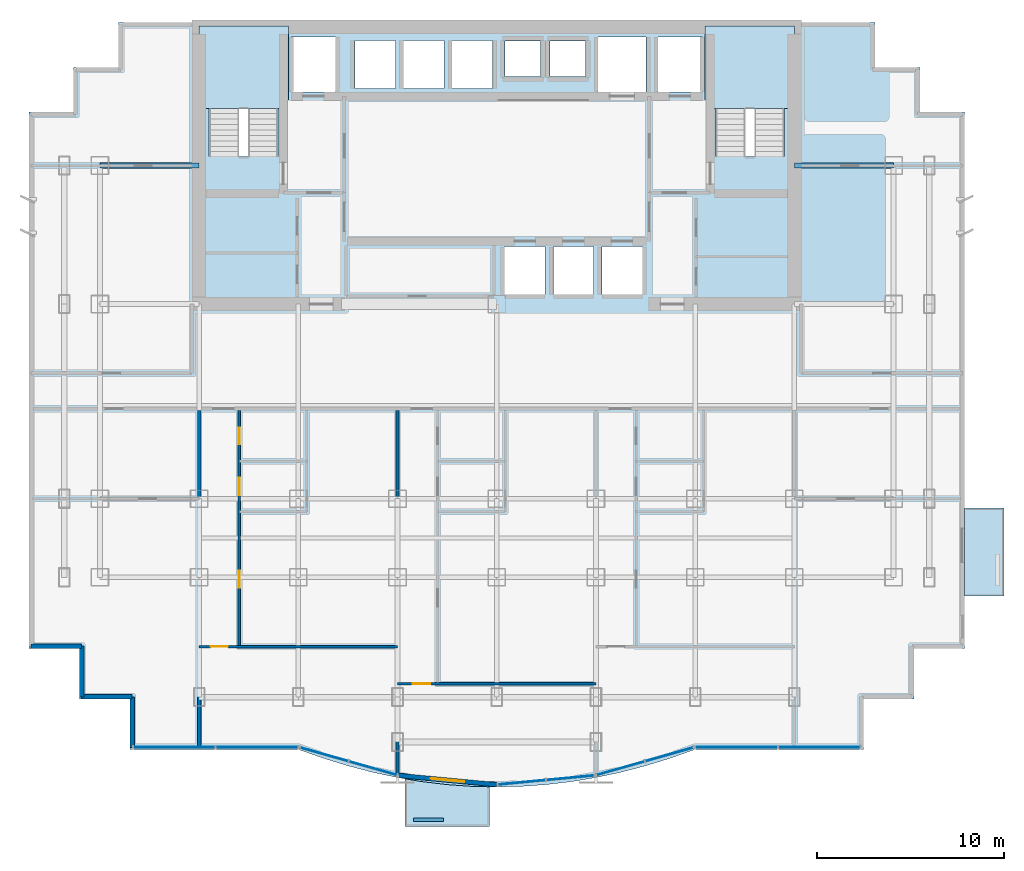
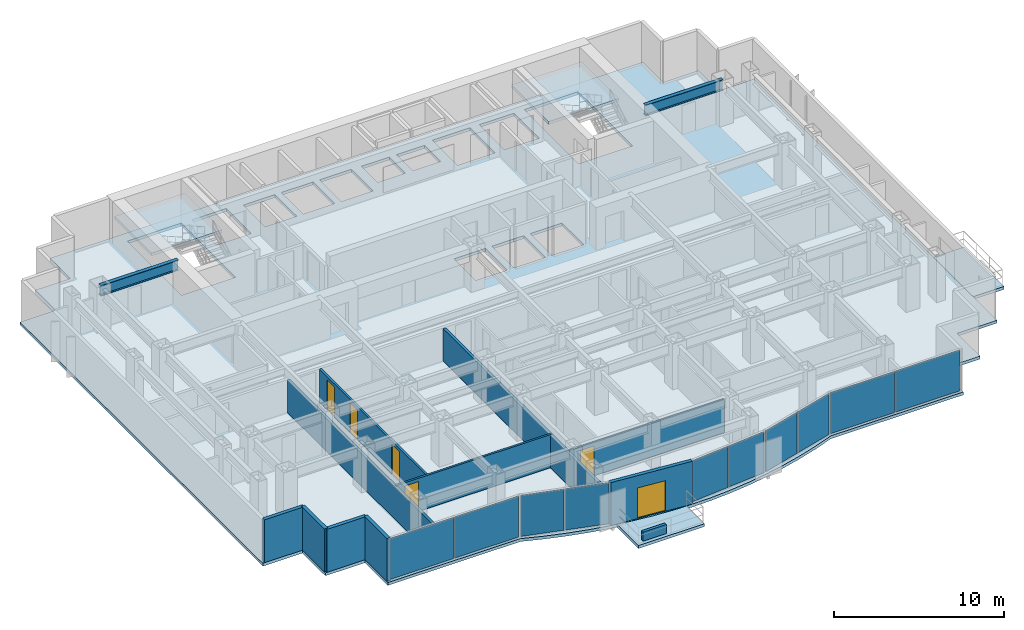
# One storey, part 4 of 9: 11 walls, 10 plates, 6 doors, 5 slabs, 2 beams, 6 openings, 7 elements without a shape of their own.
"""IFC4 building model written with IfcOpenShell, lengths in metres."""

from ifc_helpers import new_model, si_unit, direction, frame, frame_2d, origin, origin_2d, place, context, subcontext, project, spatial, polyline, rectangle, i_section, outline, extrude, source, transform, mapped, material, layer, layer_set, material_profile, profile_set, type_object, element, fill, aggregate, save


model = new_model("IFC4")

# Units and contexts
model_context = context("Model", 3, precision=1e-05, world=origin(), true_north=direction((0.0, 1.0)))
body_context = subcontext(model_context, "Body", "Model", "MODEL_VIEW")
ifc_project = project(units=[si_unit("LENGTHUNIT", "METRE"), si_unit("AREAUNIT", "SQUARE_METRE"), si_unit("VOLUMEUNIT", "CUBIC_METRE"), si_unit("PLANEANGLEUNIT", "RADIAN"), si_unit("MASSUNIT", "GRAM", prefix="KILO")], contexts=[model_context])

# Site, building, storey
site_placement = place(None, origin())
site = spatial("IfcSite", under=ifc_project, at=site_placement, CompositionType="ELEMENT")
building_placement = place(site_placement, origin())
building = spatial("IfcBuilding", under=site, at=building_placement, Name="Qianlan Lanfeng Residences", CompositionType="ELEMENT")
storey_placement = place(building_placement, frame((0.0, 0.0, 111.39990234375)))
storey = spatial("IfcBuildingStorey", under=building, at=storey_placement, Name="L30", CompositionType="ELEMENT", Elevation=111.39990234375)

# Beams
ifc_material_1 = material(Name="Steel SN490B", Category="steel")
ifc_material_profile = material_profile(ifc_material_1, i_section(OverallWidth=0.25, OverallDepth=0.75, WebThickness=0.013916015625, FlangeThickness=0.02490234375, at=origin_2d()), Name="H 750x250x14x25")
ifc_profile_set = profile_set([ifc_material_profile], Name="Steel SN490B")
beam_type = type_object("IfcBeamType", Name="G-850", PredefinedType="BEAM", material=ifc_profile_set)
for number, where, z_axis, x_axis, name in (
    (1, (5.300048828125, 32.60009765625, 2.715087890625), (1.0, 0.0, 0.0), (0.0, 1.0, 0.0), "Structural beam G-850"),
    (2, (42.39990234375, 32.60009765625, 2.715087890625), (1.0, 0.0, 0.0), (0.0, 1.0, 0.0), "Structural beam G-850"),
):
    element("IfcBeam", number, at=place(storey_placement, frame(where, z_axis=z_axis, x_axis=x_axis)), inside=storey, type_object=beam_type, Name=name, PredefinedType="BEAM", context=body_context, shape_type="SweptSolid", body=[
        extrude(i_section(OverallWidth=0.25, OverallDepth=0.75, WebThickness=0.013916015625, FlangeThickness=0.02490234375, at=origin_2d()), origin(), (0.0, 0.0, 1.0), 5.300048828125),
    ])

# Slabs
ifc_material_2 = material(Name="Concrete C42", Category="concrete")
ifc_layer_1 = layer(ifc_material_2, 0.2099609375)
ifc_layer_set_1 = layer_set([ifc_layer_1], Name="Concrete C42")
slab_type_1 = type_object("IfcSlabType", Name="S-BAL-210", PredefinedType="FLOOR", material=ifc_layer_set_1)
slab_1_placement = place(storey_placement, frame((0.0, 0.0, -0.2099609375)))
element("IfcSlab", 3, at=slab_1_placement, inside=storey, type_object=slab_type_1, Name="L30 Planted Tree Balcony Slab SB-C", PredefinedType="FLOOR", context=body_context, shape_type="SweptSolid", body=[
    extrude(outline(polyline([(26.10009765625, -0.591064453125), (25.177001953125, -0.569091796875), (23.85498046875, -0.47509765625), (22.531982421875, -0.319091796875), (21.60009765625, -0.1650390625), (21.60009765625, -2.699951171875), (26.10009765625, -2.699951171875), (26.10009765625, -0.591064453125)])), origin(), (0.0, 0.0, 1.0), 0.2099609375),
])
slab_2_placement = place(storey_placement, frame((0.0, 0.0, -0.2099609375)))
element("IfcSlab", 4, at=slab_2_placement, inside=storey, type_object=slab_type_1, Name="L30 Planted Tree Balcony Slab EB-S", PredefinedType="FLOOR", context=body_context, shape_type="SweptSolid", body=[
    extrude(outline(polyline([(51.5, 14.300048828125), (51.5, 9.60009765625), (53.60009765625, 9.60009765625), (53.60009765625, 14.300048828125), (51.5, 14.300048828125)])), origin(), (0.0, 0.0, 1.0), 0.2099609375),
])
ifc_layer_2 = layer(ifc_material_2, 0.2099609375)
ifc_layer_set_2 = layer_set([ifc_layer_2], Name="Concrete C42")
slab_type_2 = type_object("IfcSlabType", Name="S-FL-210", PredefinedType="FLOOR", material=ifc_layer_set_2)
slab_3_placement = place(storey_placement, frame((0.0, 0.0, -0.2099609375)))
element("IfcSlab", 5, at=slab_3_placement, inside=storey, type_object=slab_type_2, Name="L30 Structural Floor Slab", PredefinedType="FLOOR", context=body_context, shape_type="SweptSolid", body=[
    extrude(outline(polyline([(1.5, 6.800048828125), (4.199951171875, 6.800048828125), (4.199951171875, 4.10009765625), (6.89990234375, 4.10009765625), (6.89990234375, 1.39990234375), (15.919921875, 1.39990234375), (17.241943359375, 0.930908203125), (18.56494140625, 0.52490234375), (19.886962890625, 0.180908203125), (21.2099609375, -0.10009765625), (22.531982421875, -0.319091796875), (23.85498046875, -0.47509765625), (25.177001953125, -0.569091796875), (26.5, -0.60009765625), (27.822021484375, -0.569091796875), (29.14501953125, -0.47509765625), (30.467041015625, -0.319091796875), (31.7900390625, -0.10009765625), (33.112060546875, 0.180908203125), (34.43505859375, 0.52490234375), (35.758056640625, 0.930908203125), (37.080078125, 1.39990234375), (46.10009765625, 1.39990234375), (46.10009765625, 4.10009765625), (48.800048828125, 4.10009765625), (48.800048828125, 6.800048828125), (51.5, 6.800048828125), (51.5, 35.449951171875), (49.10009765625, 35.449951171875), (49.10009765625, 37.85009765625), (46.699951171875, 37.85009765625), (46.699951171875, 40.25), (6.300048828125, 40.25), (6.300048828125, 37.85009765625), (3.89990234375, 37.85009765625), (3.89990234375, 35.449951171875), (1.5, 35.449951171875), (1.5, 6.800048828125)]), holes=[polyline([(11.139892578125, 33.080078125), (11.139892578125, 39.5), (14.820068359375, 39.5), (14.820068359375, 33.080078125), (11.139892578125, 33.080078125)]), polyline([(38.179931640625, 33.080078125), (38.179931640625, 39.5), (41.860107421875, 39.5), (41.860107421875, 33.080078125), (38.179931640625, 33.080078125)]), polyline([(15.52001953125, 36.52001953125), (15.52001953125, 39.47998046875), (17.8798828125, 39.47998046875), (17.8798828125, 36.52001953125), (15.52001953125, 36.52001953125)]), polyline([(35.1201171875, 36.52001953125), (35.1201171875, 39.47998046875), (37.47998046875, 39.47998046875), (37.47998046875, 36.52001953125), (35.1201171875, 36.52001953125)]), polyline([(31.919921875, 36.52001953125), (31.919921875, 39.47998046875), (34.47998046875, 39.47998046875), (34.47998046875, 36.52001953125), (31.919921875, 36.52001953125)]), polyline([(26.919921875, 25.719970703125), (26.919921875, 28.280029296875), (29.080078125, 28.280029296875), (29.080078125, 25.719970703125), (26.919921875, 25.719970703125)]), polyline([(29.52001953125, 25.719970703125), (29.52001953125, 28.280029296875), (31.679931640625, 28.280029296875), (31.679931640625, 25.719970703125), (29.52001953125, 25.719970703125)]), polyline([(32.1201171875, 25.719970703125), (32.1201171875, 28.280029296875), (34.280029296875, 28.280029296875), (34.280029296875, 25.719970703125), (32.1201171875, 25.719970703125)]), polyline([(18.919921875, 36.719970703125), (18.919921875, 39.280029296875), (21.080078125, 39.280029296875), (21.080078125, 36.719970703125), (18.919921875, 36.719970703125)]), polyline([(21.52001953125, 36.719970703125), (21.52001953125, 39.280029296875), (23.679931640625, 39.280029296875), (23.679931640625, 36.719970703125), (21.52001953125, 36.719970703125)]), polyline([(24.1201171875, 36.719970703125), (24.1201171875, 39.280029296875), (26.280029296875, 39.280029296875), (26.280029296875, 36.719970703125), (24.1201171875, 36.719970703125)]), polyline([(26.949951171875, 37.35009765625), (26.949951171875, 39.25), (28.85009765625, 39.25), (28.85009765625, 37.35009765625), (26.949951171875, 37.35009765625)]), polyline([(29.35009765625, 37.35009765625), (29.35009765625, 39.25), (31.25, 39.25), (31.25, 37.35009765625), (29.35009765625, 37.35009765625)])]), origin(), (0.0, 0.0, 1.0), 0.2099609375),
])

# Stair, slab
stair_type = type_object("IfcStairType", Name="STR-MAIN", PredefinedType="HALF_TURN_STAIR", material=ifc_material_2)
stair_1_placement = place(storey_placement, origin())
stair_1 = element("IfcStair", 6, at=stair_1_placement, inside=storey, type_object=stair_type, Name="L30 Exit Stair ST-1", PredefinedType="HALF_TURN_STAIR")
ifc_layer_3 = layer(ifc_material_2, 0.179931640625)
ifc_layer_set_3 = layer_set([ifc_layer_3], Name="Concrete C42")
slab_type_3 = type_object("IfcSlabType", Name="S-LND-180", PredefinedType="LANDING", material=ifc_layer_set_3)
slab_4_placement = place(storey_placement, frame((0.0, 0.0, 1.4501953125)))
slab_4 = element("IfcSlab", 7, at=slab_4_placement, type_object=slab_type_3, Name="ST-1 landing 1", PredefinedType="LANDING", context=body_context, shape_type="SweptSolid", body=[
    extrude(outline(polyline([(10.580078125, 35.659912109375), (15.3798828125, 35.659912109375), (15.3798828125, 40.050048828125), (10.580078125, 40.050048828125), (10.580078125, 35.659912109375)])), origin(), (0.0, 0.0, 1.0), 0.199951171875),
])
aggregate(stair_1, [slab_4])

stair_2_placement = place(storey_placement, origin())
stair_2 = element("IfcStair", 8, at=stair_2_placement, inside=storey, type_object=stair_type, Name="L30 Exit Stair ST-2", PredefinedType="HALF_TURN_STAIR")
slab_5_placement = place(storey_placement, frame((0.0, 0.0, 1.4501953125)))
slab_5 = element("IfcSlab", 9, at=slab_5_placement, type_object=slab_type_3, Name="ST-2 landing 1", PredefinedType="LANDING", context=body_context, shape_type="SweptSolid", body=[
    extrude(outline(polyline([(37.6201171875, 35.659912109375), (42.419921875, 35.659912109375), (42.419921875, 40.050048828125), (37.6201171875, 40.050048828125), (37.6201171875, 35.659912109375)])), origin(), (0.0, 0.0, 1.0), 0.199951171875),
])
aggregate(stair_2, [slab_5])

# Curtain wall, plates
ifc_material_3 = material(Name="Anodised Bronze Aluminium 6063-T6", Category="aluminium")
ifc_layer_4 = layer(ifc_material_3, 0.219970703125)
ifc_layer_set_4 = layer_set([ifc_layer_4], Name="Anodised Bronze Aluminium 6063-T6")
curtain_wall_type = type_object("IfcCurtainWallType", Name="CW-03", PredefinedType="NOTDEFINED", material=ifc_layer_set_4)
curtain_wall_1_placement = place(storey_placement, origin())
curtain_wall_1 = element("IfcCurtainWall", 10, at=curtain_wall_1_placement, inside=storey, type_object=curtain_wall_type, Name="L30 Unitised Curtain Wall CWR-L30-01 (CW-03)", PredefinedType="NOTDEFINED")
ifc_material_4 = material(Name="Clear Low-E Insulated Glass", Category="glass")
ifc_layer_5 = layer(ifc_material_4, 0.035888671875)
ifc_layer_set_5 = layer_set([ifc_layer_5], Name="Clear Low-E Insulated Glass")
plate_type_1 = type_object("IfcPlateType", Name="PNL-GLZ-CLR", PredefinedType="CURTAIN_PANEL", material=ifc_layer_set_5)
shared_shape_1 = source(origin(), body_context, "Body", "SweptSolid", [
    extrude(rectangle(XDim=4.342529296875, YDim=0.035888671875, at=origin_2d()), origin(), (0.0, 0.0, 1.0), 2.931884765625),
])
plate_1_placement = place(storey_placement, frame((9.270263671875, 1.52001953125, 0.0791015625), z_axis=(0.0, 0.0, 1.0), x_axis=(1.0, 0.0, 0.0)))
plate_1 = element("IfcPlate", 11, at=plate_1_placement, type_object=plate_type_1, Name="CWR-L30-01 Curtain Panel 1", PredefinedType="CURTAIN_PANEL", context=body_context, shape_type="MappedRepresentation", body=[
    mapped(shared_shape_1, transform((0.0, 0.0, 0.0), scale=1.0)),
])
plate_2_placement = place(storey_placement, frame((13.690673828125, 1.52001953125, 0.0791015625), z_axis=(0.0, 0.0, 1.0), x_axis=(1.0, 0.0, 0.0)))
plate_2 = element("IfcPlate", 12, at=plate_2_placement, type_object=plate_type_1, Name="CWR-L30-01 Curtain Panel 2", PredefinedType="CURTAIN_PANEL", context=body_context, shape_type="MappedRepresentation", body=[
    mapped(shared_shape_1, transform((0.0, 0.0, 0.0), scale=1.0)),
])
aggregate(curtain_wall_1, [plate_1, plate_2])

curtain_wall_2_placement = place(storey_placement, origin())
curtain_wall_2 = element("IfcCurtainWall", 13, at=curtain_wall_2_placement, inside=storey, type_object=curtain_wall_type, Name="L30 Unitised Curtain Wall CWR-L30-05 (CW-03)", PredefinedType="NOTDEFINED")
plate_3_placement = place(storey_placement, frame((39.30908203125, 1.52001953125, 0.0791015625), z_axis=(0.0, 0.0, 1.0), x_axis=(1.0, 0.0, 0.0)))
plate_3 = element("IfcPlate", 14, at=plate_3_placement, type_object=plate_type_1, Name="CWR-L30-05 Curtain Panel 1", PredefinedType="CURTAIN_PANEL", context=body_context, shape_type="MappedRepresentation", body=[
    mapped(shared_shape_1, transform((0.0, 0.0, 0.0), scale=1.0)),
])
plate_4_placement = place(storey_placement, frame((43.729736328125, 1.52001953125, 0.0791015625), z_axis=(0.0, 0.0, 1.0), x_axis=(1.0, 0.0, 0.0)))
plate_4 = element("IfcPlate", 15, at=plate_4_placement, type_object=plate_type_1, Name="CWR-L30-05 Curtain Panel 2", PredefinedType="CURTAIN_PANEL", context=body_context, shape_type="MappedRepresentation", body=[
    mapped(shared_shape_1, transform((0.0, 0.0, 0.0), scale=1.0)),
])
aggregate(curtain_wall_2, [plate_3, plate_4])

# Curtain wall, plate
curtain_wall_3_placement = place(storey_placement, origin())
curtain_wall_3 = element("IfcCurtainWall", 16, at=curtain_wall_3_placement, inside=storey, type_object=curtain_wall_type, Name="L30 Unitised Curtain Wall CWR-L30-02 (CW-03)", PredefinedType="NOTDEFINED")
shared_shape_2 = source(origin(), body_context, "Body", "SweptSolid", [
    extrude(rectangle(XDim=2.632080078125, YDim=0.035888671875, at=origin_2d()), origin(), (0.0, 0.0, 1.0), 2.931884765625),
])
plate_5_placement = place(storey_placement, frame((17.282958984375, 1.138916015625, 0.0791015625), z_axis=(0.0, 0.0, 1.0), x_axis=(0.961989074302, -0.273087936247, 0.0)))
plate_5 = element("IfcPlate", 17, at=plate_5_placement, type_object=plate_type_1, Name="CWR-L30-02 Curtain Panel 1", PredefinedType="CURTAIN_PANEL", context=body_context, shape_type="MappedRepresentation", body=[
    mapped(shared_shape_2, transform((0.0, 0.0, 0.0), scale=1.0)),
])

curtain_wall_4_placement = place(storey_placement, origin())
curtain_wall_4 = element("IfcCurtainWall", 18, at=curtain_wall_4_placement, inside=storey, type_object=curtain_wall_type, Name="L30 Unitised Curtain Wall CWR-L30-04 (CW-03)", PredefinedType="NOTDEFINED")
plate_6_placement = place(storey_placement, frame((33.110107421875, 0.39892578125, 0.0791015625), z_axis=(0.0, 0.0, 1.0), x_axis=(0.961989074302, 0.273087936247, 0.0)))
plate_6 = element("IfcPlate", 19, at=plate_6_placement, type_object=plate_type_1, Name="CWR-L30-04 Curtain Panel 1", PredefinedType="CURTAIN_PANEL", context=body_context, shape_type="MappedRepresentation", body=[
    mapped(shared_shape_2, transform((0.0, 0.0, 0.0), scale=1.0)),
])

# Plate
ifc_material_5 = material(Name="Perforated Champagne Gold Aluminium Panel", Category="aluminium")
ifc_layer_6 = layer(ifc_material_5, 0.0400390625)
ifc_layer_set_6 = layer_set([ifc_layer_6], Name="Perforated Champagne Gold Aluminium Panel")
plate_type_2 = type_object("IfcPlateType", Name="PNL-PRF-GLD", PredefinedType="CURTAIN_PANEL", material=ifc_layer_set_6)
shared_shape_3 = source(origin(), body_context, "Body", "SweptSolid", [
    extrude(rectangle(XDim=2.632080078125, YDim=0.0400390625, at=origin_2d()), origin(), (0.0, 0.0, 1.0), 2.931884765625),
])
plate_7_placement = place(storey_placement, frame((19.889892578125, 0.39892578125, 0.0791015625), z_axis=(0.0, 0.0, 1.0), x_axis=(0.961989074302, -0.273087936247, 0.0)))
plate_7 = element("IfcPlate", 20, at=plate_7_placement, type_object=plate_type_2, Name="CWR-L30-02 Curtain Panel 2", PredefinedType="CURTAIN_PANEL", context=body_context, shape_type="MappedRepresentation", body=[
    mapped(shared_shape_3, transform((0.0, 0.0, 0.0), scale=1.0)),
])

aggregate(curtain_wall_3, [plate_5, plate_7])

plate_8_placement = place(storey_placement, frame((35.717041015625, 1.138916015625, 0.0791015625), z_axis=(0.0, 0.0, 1.0), x_axis=(0.961989074302, 0.273087936247, 0.0)))
plate_8 = element("IfcPlate", 21, at=plate_8_placement, type_object=plate_type_2, Name="CWR-L30-04 Curtain Panel 2", PredefinedType="CURTAIN_PANEL", context=body_context, shape_type="MappedRepresentation", body=[
    mapped(shared_shape_3, transform((0.0, 0.0, 0.0), scale=1.0)),
])

aggregate(curtain_wall_4, [plate_6, plate_8])

# Curtain wall, plates
curtain_wall_5_placement = place(storey_placement, origin())
curtain_wall_5 = element("IfcCurtainWall", 22, at=curtain_wall_5_placement, inside=storey, type_object=curtain_wall_type, Name="L30 Unitised Curtain Wall CWR-L30-03 (CW-03)", PredefinedType="NOTDEFINED")
shared_shape_4 = source(origin(), body_context, "Body", "SweptSolid", [
    extrude(rectangle(XDim=2.527587890625, YDim=0.035888671875, at=origin_2d()), origin(), (0.0, 0.0, 1.0), 2.931884765625),
])
plate_9_placement = place(storey_placement, frame((27.8369140625, -0.353515625, 0.0791015625), z_axis=(0.0, 0.0, 1.0), x_axis=(0.995561471839, 0.094113526067, 0.0)))
plate_9 = element("IfcPlate", 23, at=plate_9_placement, type_object=plate_type_1, Name="CWR-L30-03 Curtain Panel 1", PredefinedType="CURTAIN_PANEL", context=body_context, shape_type="MappedRepresentation", body=[
    mapped(shared_shape_4, transform((0.0, 0.0, 0.0), scale=1.0)),
])
shared_shape_5 = source(origin(), body_context, "Body", "SweptSolid", [
    extrude(rectangle(XDim=2.52783203125, YDim=0.035888671875, at=origin_2d()), origin(), (0.0, 0.0, 1.0), 2.931884765625),
])
plate_10_placement = place(storey_placement, frame((30.43115234375, -0.1083984375, 0.0791015625), z_axis=(0.0, 0.0, 1.0), x_axis=(0.995561471839, 0.094113526067, 0.0)))
plate_10 = element("IfcPlate", 24, at=plate_10_placement, type_object=plate_type_1, Name="CWR-L30-03 Curtain Panel 2", PredefinedType="CURTAIN_PANEL", context=body_context, shape_type="MappedRepresentation", body=[
    mapped(shared_shape_5, transform((0.0, 0.0, 0.0), scale=1.0)),
])
aggregate(curtain_wall_5, [plate_9, plate_10])

# Walls
ifc_layer_7 = layer(ifc_material_2, 0.239990234375)
ifc_layer_set_7 = layer_set([ifc_layer_7], Name="Concrete C42")
wall_type_1 = type_object("IfcWallType", Name="EW-240", PredefinedType="SOLIDWALL", material=ifc_layer_set_7)
for number, where, z_axis, x_axis, name in (
    (25, (1.6201171875, 6.919921875, 0.0), (0.0, 0.0, 1.0), (1.0, 0.0, 0.0), "L30 Exterior Facade Spandrel Wall 1"),
    (26, (4.320068359375, 6.919921875, 0.0), (0.0, 0.0, 1.0), (0.0, -1.0, 0.0), "L30 Exterior Facade Spandrel Wall 2"),
    (27, (4.320068359375, 4.219970703125, 0.0), (0.0, 0.0, 1.0), (1.0, 0.0, 0.0), "L30 Exterior Facade Spandrel Wall 3"),
    (28, (7.02001953125, 4.219970703125, 0.0), (0.0, 0.0, 1.0), (0.0, -1.0, 0.0), "L30 Exterior Facade Spandrel Wall 4"),
):
    element("IfcWall", number, at=place(storey_placement, frame(where, z_axis=z_axis, x_axis=x_axis)), inside=storey, type_object=wall_type_1, Name=name, PredefinedType="SOLIDWALL", context=body_context, shape_type="SweptSolid", body=[
        extrude(rectangle(XDim=2.699951171875, YDim=0.239990234375, at=frame_2d((1.35009765625, 0.0))), origin(), (0.0, 0.0, 1.0), 3.090087890625),
    ])

# Wall, opening, door
wall_1_placement = place(storey_placement, frame((21.23193359375, 0.01806640625, 0.0), z_axis=(0.0, 0.0, 1.0), x_axis=(0.995560760834, -0.094121046997, 0.0)))
wall_1 = element("IfcWall", 29, at=wall_1_placement, inside=storey, type_object=wall_type_1, Name="L30 Terrace/Balcony Access Exterior Wall 5", PredefinedType="SOLIDWALL", context=body_context, shape_type="SweptSolid", body=[
    extrude(rectangle(XDim=5.29150390625, YDim=0.239990234375, at=frame_2d((2.645751953125, 0.0))), origin(), (0.0, 0.0, 1.0), 3.090087890625),
])
opening_1_placement = place(wall_1_placement, frame((1.742919921875, 0.0, 0.0)))
opening_1 = element("IfcOpeningElement", 30, at=opening_1_placement, cuts=wall_1, Name="Opening L30-D-SB-C", PredefinedType="OPENING", context=body_context, shape_type="SweptSolid", body=[
    extrude(rectangle(XDim=1.800048828125, YDim=2.199951171875, at=frame_2d((0.89990234375, 1.10009765625))), frame((0.0, 0.1298828125, 0.0), z_axis=(0.0, -1.0, 0.0), x_axis=(1.0, 0.0, 0.0)), (0.0, 0.0, 1.0), 0.260009765625),
])
ifc_material_6 = material(Name="Anodised Bronze Aluminium Framed Glass", Category="aluminium")
door_type_1 = type_object("IfcDoorType", Name="DT-BAL1", OperationType="NOTDEFINED", PredefinedType="DOOR", material=ifc_material_6)
door_1_placement = place(opening_1_placement, frame((1.800048828125, 0.0, 0.0), z_axis=(0.0, 0.0, 1.0), x_axis=(-1.0, 0.0, 0.0)))
door_1 = element("IfcDoor", 31, at=door_1_placement, inside=storey, type_object=door_type_1, Name="L30 Exterior Access Door SB-C", OperationType="DOUBLE_DOOR_SLIDING", OverallHeight=2.199951171875, OverallWidth=1.800048828125, PredefinedType="DOOR", context=body_context, shape_type="SweptSolid", body=[
    extrude(rectangle(XDim=1.800048828125, YDim=2.199951171875, at=frame_2d((0.89990234375, 1.10009765625))), frame((0.0, 0.02490234375, 0.0), z_axis=(0.0, -1.0, 0.0), x_axis=(1.0, 0.0, 0.0)), (0.0, 0.0, 1.0), 0.050048828125),
])
fill(opening_1, door_1)

# Wall
ifc_layer_8 = layer(ifc_material_2, 0.199951171875)
ifc_layer_set_8 = layer_set([ifc_layer_8], Name="Concrete C42")
wall_type_2 = type_object("IfcWallType", Name="PL-TREE-200", PredefinedType="PARAPET", material=ifc_layer_set_8)
wall_2_placement = place(storey_placement, frame((22.050048828125, -2.35009765625, 0.0), z_axis=(0.0, 0.0, 1.0), x_axis=(1.0, 0.0, 0.0)))
element("IfcWall", 32, at=wall_2_placement, inside=storey, type_object=wall_type_2, Name="L30 Balcony Tree Planter Curb SB-C", PredefinedType="PARAPET", context=body_context, shape_type="SweptSolid", body=[
    extrude(rectangle(XDim=1.599853515625, YDim=0.199951171875, at=frame_2d((0.7998046875, 0.0))), origin(), (0.0, 0.0, 1.0), 0.650146484375),
])

# Wall, opening, door
ifc_material_7 = material(Name="Moisture-Resistant Gypsum Partition 135 mm")
ifc_layer_9 = layer(ifc_material_7, 0.135009765625)
ifc_layer_set_9 = layer_set([ifc_layer_9], Name="Moisture-Resistant Gypsum Partition 135 mm")
wall_type_3 = type_object("IfcWallType", Name="PW-135", PredefinedType="PARTITIONING", material=ifc_layer_set_9)
wall_3_placement = place(storey_placement, frame((10.60009765625, 6.903076171875, 0.0), z_axis=(0.0, 0.0, 1.0), x_axis=(1.0, 0.0, 0.0)))
wall_3 = element("IfcWall", 33, at=wall_3_placement, inside=storey, type_object=wall_type_3, Name="L30 U01 Living Divider", PredefinedType="PARTITIONING", context=body_context, shape_type="SweptSolid", body=[
    extrude(rectangle(XDim=10.599853515625, YDim=0.135009765625, at=frame_2d((5.2998046875, 0.0))), origin(), (0.0, 0.0, 1.0), 2.380126953125),
])
opening_2_placement = place(wall_3_placement, frame((0.614990234375, 0.0, 0.0)))
opening_2 = element("IfcOpeningElement", 34, at=opening_2_placement, cuts=wall_3, Name="Opening L30-D17", PredefinedType="OPENING", context=body_context, shape_type="SweptSolid", body=[
    extrude(rectangle(XDim=0.919921875, YDim=2.14990234375, at=frame_2d((0.4599609375, 1.074951171875))), frame((0.0, 0.07763671875, 0.0), z_axis=(0.0, -1.0, 0.0), x_axis=(1.0, 0.0, 0.0)), (0.0, 0.0, 1.0), 0.155029296875),
])
ifc_material_8 = material(Name="Glazed Timber Kitchen/Study Door", Category="wood")
door_type_2 = type_object("IfcDoorType", Name="DT-INT", OperationType="NOTDEFINED", PredefinedType="DOOR", material=ifc_material_8)
door_2_placement = place(opening_2_placement, frame((0.919921875, 0.0, 0.0), z_axis=(0.0, 0.0, 1.0), x_axis=(-1.0, 0.0, 0.0)))
door_2 = element("IfcDoor", 35, at=door_2_placement, inside=storey, type_object=door_type_2, Name="L30 U01 Living Passage Door L30-D17 (DT-INT)", OperationType="SINGLE_SWING_RIGHT", OverallHeight=2.14990234375, OverallWidth=0.919921875, PredefinedType="DOOR", context=body_context, shape_type="SweptSolid", body=[
    extrude(rectangle(XDim=0.919921875, YDim=2.14990234375, at=frame_2d((0.4599609375, 1.074951171875))), frame((0.0, 0.02490234375, 0.0), z_axis=(0.0, -1.0, 0.0), x_axis=(1.0, 0.0, 0.0)), (0.0, 0.0, 1.0), 0.050048828125),
])
fill(opening_2, door_2)

# Wall, openings, doors
wall_4_placement = place(storey_placement, frame((12.75, 6.903076171875, 0.0), z_axis=(0.0, 0.0, 1.0), x_axis=(0.0, 1.0, 0.0)))
wall_4 = element("IfcWall", 36, at=wall_4_placement, inside=storey, type_object=wall_type_3, Name="L30 U01 Entry Hall Spine", PredefinedType="PARTITIONING", context=body_context, shape_type="SweptSolid", body=[
    extrude(rectangle(XDim=12.596923828125, YDim=0.135009765625, at=frame_2d((6.29833984375, 0.0))), origin(), (0.0, 0.0, 1.0), 2.380126953125),
])
opening_3_placement = place(wall_4_placement, frame((3.138916015625, 0.0, 0.0)))
opening_3 = element("IfcOpeningElement", 37, at=opening_3_placement, cuts=wall_4, Name="Opening L30-D18", PredefinedType="OPENING", context=body_context, shape_type="SweptSolid", body=[
    extrude(rectangle(XDim=0.919921875, YDim=2.14990234375, at=frame_2d((0.4599609375, 1.074951171875))), frame((0.0, 0.07763671875, 0.0), z_axis=(0.0, -1.0, 0.0), x_axis=(1.0, 0.0, 0.0)), (0.0, 0.0, 1.0), 0.155029296875),
])
opening_4_placement = place(wall_4_placement, frame((8.0869140625, 0.0, 0.0)))
opening_4 = element("IfcOpeningElement", 38, at=opening_4_placement, cuts=wall_4, Name="Opening L30-D19", PredefinedType="OPENING", context=body_context, shape_type="SweptSolid", body=[
    extrude(rectangle(XDim=0.919921875, YDim=2.14990234375, at=frame_2d((0.4599609375, 1.074951171875))), frame((0.0, 0.07763671875, 0.0), z_axis=(0.0, -1.0, 0.0), x_axis=(1.0, 0.0, 0.0)), (0.0, 0.0, 1.0), 0.155029296875),
])
opening_5_placement = place(wall_4_placement, frame((10.797119140625, 0.0, 0.0)))
opening_5 = element("IfcOpeningElement", 39, at=opening_5_placement, cuts=wall_4, Name="Opening L30-D20", PredefinedType="OPENING", context=body_context, shape_type="SweptSolid", body=[
    extrude(rectangle(XDim=0.89990234375, YDim=2.14990234375, at=frame_2d((0.449951171875, 1.074951171875))), frame((0.0, 0.07763671875, 0.0), z_axis=(0.0, -1.0, 0.0), x_axis=(1.0, 0.0, 0.0)), (0.0, 0.0, 1.0), 0.155029296875),
])
door_3_placement = place(opening_3_placement, origin())
door_3 = element("IfcDoor", 40, at=door_3_placement, inside=storey, type_object=door_type_2, Name="L30 U01 Study Door L30-D18 (DT-INT)", OperationType="SINGLE_SWING_LEFT", OverallHeight=2.14990234375, OverallWidth=0.919921875, PredefinedType="DOOR", context=body_context, shape_type="SweptSolid", body=[
    extrude(rectangle(XDim=0.919921875, YDim=2.14990234375, at=frame_2d((0.4599609375, 1.074951171875))), frame((0.0, 0.02490234375, 0.0), z_axis=(0.0, -1.0, 0.0), x_axis=(1.0, 0.0, 0.0)), (0.0, 0.0, 1.0), 0.050048828125),
])
fill(opening_3, door_3)
door_4_placement = place(opening_4_placement, origin())
door_4 = element("IfcDoor", 41, at=door_4_placement, inside=storey, type_object=door_type_2, Name="L30 U01 Kitchen Door L30-D19 (DT-INT)", OperationType="SINGLE_SWING_RIGHT", OverallHeight=2.14990234375, OverallWidth=0.919921875, PredefinedType="DOOR", context=body_context, shape_type="SweptSolid", body=[
    extrude(rectangle(XDim=0.919921875, YDim=2.14990234375, at=frame_2d((0.4599609375, 1.074951171875))), frame((0.0, 0.02490234375, 0.0), z_axis=(0.0, -1.0, 0.0), x_axis=(1.0, 0.0, 0.0)), (0.0, 0.0, 1.0), 0.050048828125),
])
fill(opening_4, door_4)
ifc_material_9 = material(Name="Moisture-Resistant Timber Leaf", Category="wood")
door_type_3 = type_object("IfcDoorType", Name="DT-WC", OperationType="NOTDEFINED", PredefinedType="DOOR", material=ifc_material_9)
door_5_placement = place(opening_5_placement, origin())
door_5 = element("IfcDoor", 42, at=door_5_placement, inside=storey, type_object=door_type_3, Name="L30 U01 Bathroom Door L30-D20 (DT-WC)", OperationType="SINGLE_SWING_LEFT", OverallHeight=2.14990234375, OverallWidth=0.89990234375, PredefinedType="DOOR", context=body_context, shape_type="SweptSolid", body=[
    extrude(rectangle(XDim=0.89990234375, YDim=2.14990234375, at=frame_2d((0.449951171875, 1.074951171875))), frame((0.0, 0.02490234375, 0.0), z_axis=(0.0, -1.0, 0.0), x_axis=(1.0, 0.0, 0.0)), (0.0, 0.0, 1.0), 0.050048828125),
])
fill(opening_5, door_5)

# Wall, opening, door
wall_5_placement = place(storey_placement, frame((21.199951171875, 4.903076171875, 0.0), z_axis=(0.0, 0.0, 1.0), x_axis=(1.0, 0.0, 0.0)))
wall_5 = element("IfcWall", 43, at=wall_5_placement, inside=storey, type_object=wall_type_3, Name="L30 U02 Living Divider", PredefinedType="PARTITIONING", context=body_context, shape_type="SweptSolid", body=[
    extrude(rectangle(XDim=10.60009765625, YDim=0.135009765625, at=frame_2d((5.300048828125, 0.0))), origin(), (0.0, 0.0, 1.0), 2.380126953125),
])
opening_6_placement = place(wall_5_placement, frame((0.81494140625, 0.0, 0.0)))
opening_6 = element("IfcOpeningElement", 44, at=opening_6_placement, cuts=wall_5, Name="Opening L30-D22", PredefinedType="OPENING", context=body_context, shape_type="SweptSolid", body=[
    extrude(rectangle(XDim=0.919921875, YDim=2.14990234375, at=frame_2d((0.4599609375, 1.074951171875))), frame((0.0, 0.07763671875, 0.0), z_axis=(0.0, -1.0, 0.0), x_axis=(1.0, 0.0, 0.0)), (0.0, 0.0, 1.0), 0.155029296875),
])
door_6_placement = place(opening_6_placement, origin())
door_6 = element("IfcDoor", 45, at=door_6_placement, inside=storey, type_object=door_type_2, Name="L30 U02 Living Passage Door L30-D22 (DT-INT)", OperationType="SINGLE_SWING_LEFT", OverallHeight=2.14990234375, OverallWidth=0.919921875, PredefinedType="DOOR", context=body_context, shape_type="SweptSolid", body=[
    extrude(rectangle(XDim=0.919921875, YDim=2.14990234375, at=frame_2d((0.4599609375, 1.074951171875))), frame((0.0, 0.02490234375, 0.0), z_axis=(0.0, -1.0, 0.0), x_axis=(1.0, 0.0, 0.0)), (0.0, 0.0, 1.0), 0.050048828125),
])
fill(opening_6, door_6)

# Walls
ifc_material_10 = material(Name="Double-Layer Acoustic Gypsum Stud Wall 180 mm")
ifc_layer_10 = layer(ifc_material_10, 0.179931640625)
ifc_layer_set_10 = layer_set([ifc_layer_10], Name="Double-Layer Acoustic Gypsum Stud Wall 180 mm")
wall_type_4 = type_object("IfcWallType", Name="PW-180", PredefinedType="PARTITIONING", material=ifc_layer_set_10)
wall_6_placement = place(storey_placement, frame((10.60009765625, 1.6201171875, 0.0), z_axis=(0.0, 0.0, 1.0), x_axis=(0.0, 1.0, 0.0)))
element("IfcWall", 46, at=wall_6_placement, inside=storey, type_object=wall_type_4, Name="L30 Wing Boundary Party Wall W0", PredefinedType="PARTITIONING", context=body_context, shape_type="SweptSolid", body=[
    extrude(rectangle(XDim=17.8798828125, YDim=0.179931640625, at=frame_2d((8.93994140625, 0.0))), origin(), (0.0, 0.0, 1.0), 2.335205078125),
])
wall_7_placement = place(storey_placement, frame((21.199951171875, 0.126953125, 0.0), z_axis=(0.0, 0.0, 1.0), x_axis=(0.0, 1.0, 0.0)))
element("IfcWall", 47, at=wall_7_placement, inside=storey, type_object=wall_type_4, Name="L30 Inter-Tenancy Party Wall 2", PredefinedType="PARTITIONING", context=body_context, shape_type="SweptSolid", body=[
    extrude(rectangle(XDim=19.373046875, YDim=0.179931640625, at=frame_2d((9.6865234375, 0.0))), origin(), (0.0, 0.0, 1.0), 2.335205078125),
])

save(model, "model.ifc")
